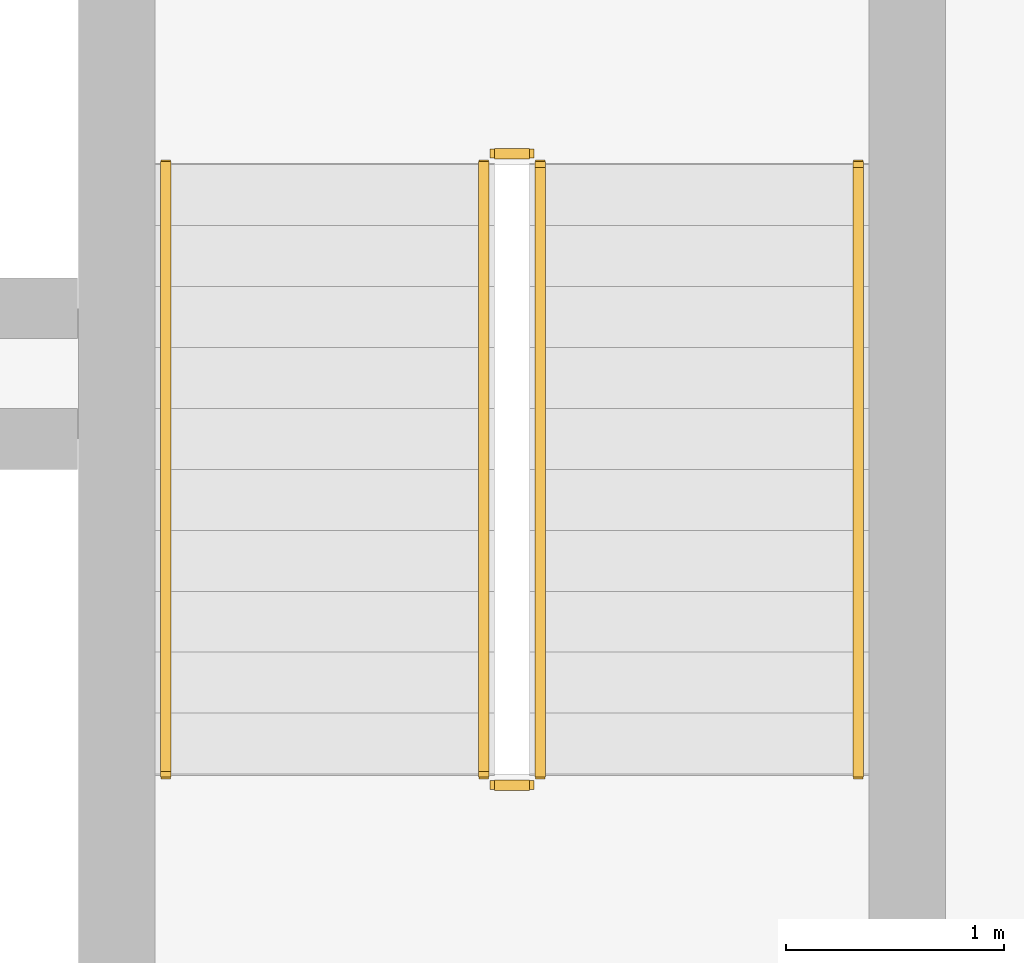
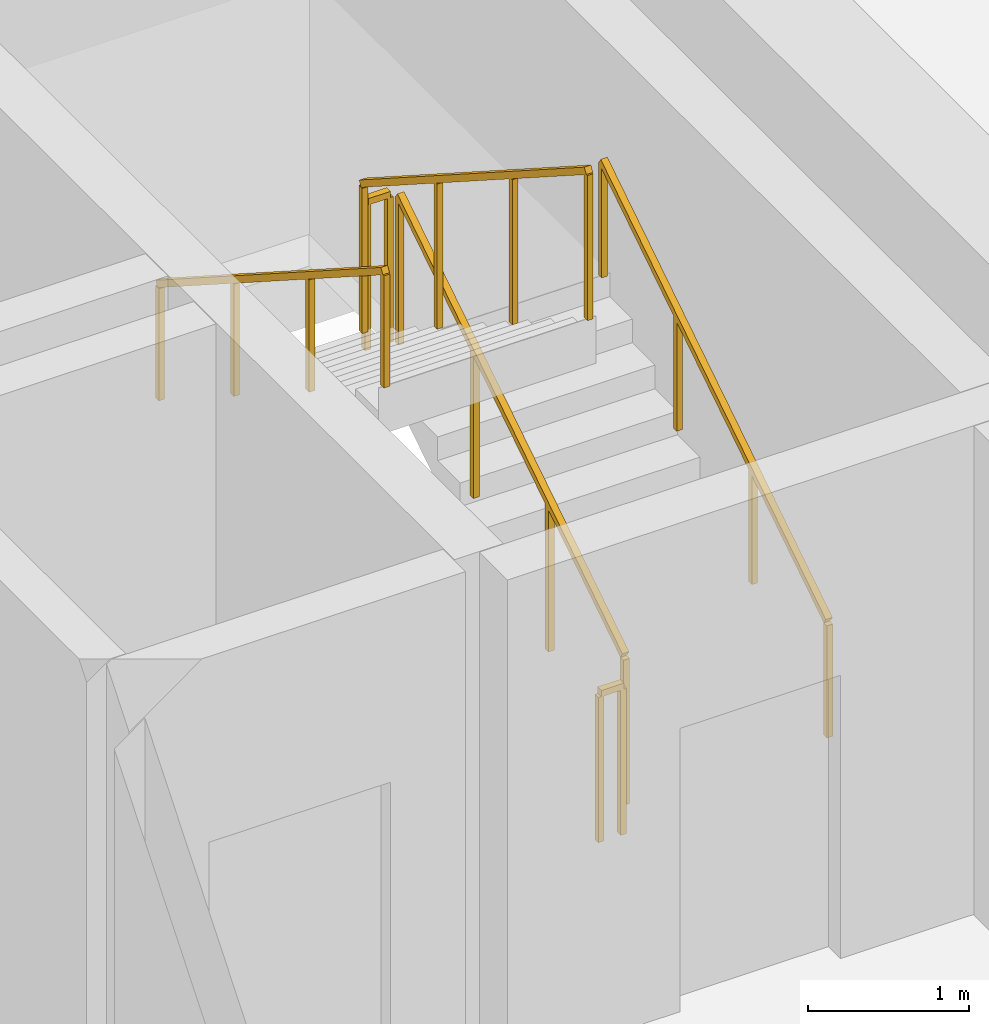
# One storey, part 11 of 11: 6 railings.
"""IFC4 building model written with IfcOpenShell, lengths in metres."""

from ifc_helpers import new_model, si_unit, direction, frame, origin, origin_2d, place, context, subcontext, project, spatial, rectangle, extrude, material, type_object, element, save


model = new_model("IFC4")

# Units and contexts
model_context = context("Model", 3, precision=1e-05, world=origin(), true_north=direction((0.0, 1.0)))
body_context = subcontext(model_context, "Body", "Model", "MODEL_VIEW")
ifc_project = project(units=[si_unit("LENGTHUNIT", "METRE"), si_unit("AREAUNIT", "SQUARE_METRE"), si_unit("VOLUMEUNIT", "CUBIC_METRE"), si_unit("PLANEANGLEUNIT", "RADIAN"), si_unit("MASSUNIT", "GRAM", prefix="KILO")], contexts=[model_context])

# Site, building, storey
site_placement = place(None, origin())
site = spatial("IfcSite", under=ifc_project, at=site_placement, CompositionType="ELEMENT")
building_placement = place(site_placement, origin())
building = spatial("IfcBuilding", under=site, at=building_placement, Name="Kaelvorn Grand Hotel", CompositionType="ELEMENT")
storey_placement = place(building_placement, frame((0.0, 0.0, 248.89990234375)))
storey = spatial("IfcBuildingStorey", under=building, at=storey_placement, Name="L61", CompositionType="ELEMENT", Elevation=248.89990234375)

# Railings
ifc_material = material(Name="Stainless Steel", Category="steel")
railing_type_1 = type_object("IfcRailingType", Name="RL-HANDRAIL-900", PredefinedType="HANDRAIL", material=ifc_material)
railing_1_placement = place(storey_placement, frame((66.550048828125, 41.760009765625, 0.1796875)))
element("IfcRailing", 1, at=railing_1_placement, inside=storey, type_object=railing_type_1, Name="L61 ST3 stair handrail 1", PredefinedType="HANDRAIL", context=body_context, shape_type="SweptSolid", body=[
    extrude(rectangle(XDim=0.048095703125, YDim=0.048095703125, at=origin_2d()), frame((0.0, 0.0, 0.8759765625), z_axis=(0.0, 0.841809871826, 0.539774156196), x_axis=(-1.0, 0.0, 0.0)), (0.0, 0.0, 1.0), 3.326171875),
    extrude(rectangle(XDim=0.0419921875, YDim=0.0419921875, at=origin_2d()), origin(), (0.0, 0.0, 1.0), 0.851806640625),
    extrude(rectangle(XDim=0.0419921875, YDim=0.0419921875, at=origin_2d()), frame((0.0, 0.933349609375, 0.598388671875)), (0.0, 0.0, 1.0), 0.851806640625),
    extrude(rectangle(XDim=0.0419921875, YDim=0.0419921875, at=origin_2d()), frame((0.0, 1.86669921875, 1.197021484375)), (0.0, 0.0, 1.0), 0.851806640625),
    extrude(rectangle(XDim=0.0419921875, YDim=0.0419921875, at=origin_2d()), frame((0.0, 2.800048828125, 1.79541015625)), (0.0, 0.0, 1.0), 0.851806640625),
])
railing_2_placement = place(storey_placement, frame((63.3701171875, 44.56005859375, 2.154541015625)))
element("IfcRailing", 2, at=railing_2_placement, inside=storey, type_object=railing_type_1, Name="L61 ST3 stair handrail 2", PredefinedType="HANDRAIL", context=body_context, shape_type="SweptSolid", body=[
    extrude(rectangle(XDim=0.048095703125, YDim=0.048095703125, at=origin_2d()), frame((0.0, 0.0, 0.8759765625), z_axis=(0.0, -0.841776520102, 0.539826166654), x_axis=(1.0, 0.0, 0.0)), (0.0, 0.0, 1.0), 3.326416015625),
    extrude(rectangle(XDim=0.0419921875, YDim=0.0419921875, at=origin_2d()), origin(), (0.0, 0.0, 1.0), 0.851806640625),
    extrude(rectangle(XDim=0.0419921875, YDim=0.0419921875, at=origin_2d()), frame((0.0, -0.933349609375, 0.5986328125)), (0.0, 0.0, 1.0), 0.851806640625),
    extrude(rectangle(XDim=0.0419921875, YDim=0.0419921875, at=origin_2d()), frame((0.0, -1.86669921875, 1.197021484375)), (0.0, 0.0, 1.0), 0.851806640625),
    extrude(rectangle(XDim=0.0419921875, YDim=0.0419921875, at=origin_2d()), frame((0.0, -2.800048828125, 1.795654296875)), (0.0, 0.0, 1.0), 0.851806640625),
])
railing_type_2 = type_object("IfcRailingType", Name="RL-STAIR-GUARD-1150", PredefinedType="BALUSTRADE", material=ifc_material)
railing_3_placement = place(storey_placement, frame((65.090087890625, 41.760009765625, 0.1796875)))
element("IfcRailing", 3, at=railing_3_placement, inside=storey, type_object=railing_type_2, Name="L61 ST3 stair guard 1", PredefinedType="BALUSTRADE", context=body_context, shape_type="SweptSolid", body=[
    extrude(rectangle(XDim=0.048095703125, YDim=0.048095703125, at=origin_2d()), frame((0.0, 0.0, 1.1259765625), z_axis=(0.0, 0.841809871826, 0.539774156196), x_axis=(-1.0, 0.0, 0.0)), (0.0, 0.0, 1.0), 3.326171875),
    extrude(rectangle(XDim=0.0419921875, YDim=0.0419921875, at=origin_2d()), origin(), (0.0, 0.0, 1.0), 1.101806640625),
    extrude(rectangle(XDim=0.0419921875, YDim=0.0419921875, at=origin_2d()), frame((0.0, 0.933349609375, 0.598388671875)), (0.0, 0.0, 1.0), 1.101806640625),
    extrude(rectangle(XDim=0.0419921875, YDim=0.0419921875, at=origin_2d()), frame((0.0, 1.86669921875, 1.197021484375)), (0.0, 0.0, 1.0), 1.101806640625),
    extrude(rectangle(XDim=0.0419921875, YDim=0.0419921875, at=origin_2d()), frame((0.0, 2.800048828125, 1.79541015625)), (0.0, 0.0, 1.0), 1.101806640625),
])
railing_4_placement = place(storey_placement, frame((65.0400390625, 44.610107421875, 1.97509765625)))
element("IfcRailing", 4, at=railing_4_placement, inside=storey, type_object=railing_type_2, Name="L61 ST3 stair guard 2", PredefinedType="BALUSTRADE", context=body_context, shape_type="SweptSolid", body=[
    extrude(rectangle(XDim=0.048095703125, YDim=0.048095703125, at=origin_2d()), frame((0.0, 0.0, 1.1259765625), z_axis=(-1.0, 0.0, 0.0), x_axis=(0.0, -1.0, 0.0)), (0.0, 0.0, 1.0), 0.16015625),
    extrude(rectangle(XDim=0.0419921875, YDim=0.0419921875, at=origin_2d()), origin(), (0.0, 0.0, 1.0), 1.101806640625),
    extrude(rectangle(XDim=0.0419921875, YDim=0.0419921875, at=origin_2d()), frame((-0.16015625, 0.0, 0.0)), (0.0, 0.0, 1.0), 1.101806640625),
])
railing_5_placement = place(storey_placement, frame((64.830078125, 44.56005859375, 2.154541015625)))
element("IfcRailing", 5, at=railing_5_placement, inside=storey, type_object=railing_type_2, Name="L61 ST3 stair guard 3", PredefinedType="BALUSTRADE", context=body_context, shape_type="SweptSolid", body=[
    extrude(rectangle(XDim=0.048095703125, YDim=0.048095703125, at=origin_2d()), frame((0.0, 0.0, 1.1259765625), z_axis=(0.0, -0.841776520102, 0.539826166654), x_axis=(1.0, 0.0, 0.0)), (0.0, 0.0, 1.0), 3.326416015625),
    extrude(rectangle(XDim=0.0419921875, YDim=0.0419921875, at=origin_2d()), origin(), (0.0, 0.0, 1.0), 1.101806640625),
    extrude(rectangle(XDim=0.0419921875, YDim=0.0419921875, at=origin_2d()), frame((0.0, -0.933349609375, 0.5986328125)), (0.0, 0.0, 1.0), 1.101806640625),
    extrude(rectangle(XDim=0.0419921875, YDim=0.0419921875, at=origin_2d()), frame((0.0, -1.86669921875, 1.197021484375)), (0.0, 0.0, 1.0), 1.101806640625),
    extrude(rectangle(XDim=0.0419921875, YDim=0.0419921875, at=origin_2d()), frame((0.0, -2.800048828125, 1.795654296875)), (0.0, 0.0, 1.0), 1.101806640625),
])
railing_6_placement = place(storey_placement, frame((65.0400390625, 41.7099609375, 0.0)))
element("IfcRailing", 6, at=railing_6_placement, inside=storey, type_object=railing_type_2, Name="L61 ST3 stair guard 4", PredefinedType="BALUSTRADE", context=body_context, shape_type="SweptSolid", body=[
    extrude(rectangle(XDim=0.048095703125, YDim=0.048095703125, at=origin_2d()), frame((0.0, 0.0, 1.1259765625), z_axis=(-1.0, 0.0, 0.0), x_axis=(0.0, -1.0, 0.0)), (0.0, 0.0, 1.0), 0.16015625),
    extrude(rectangle(XDim=0.0419921875, YDim=0.0419921875, at=origin_2d()), origin(), (0.0, 0.0, 1.0), 1.101806640625),
    extrude(rectangle(XDim=0.0419921875, YDim=0.0419921875, at=origin_2d()), frame((-0.16015625, 0.0, 0.0)), (0.0, 0.0, 1.0), 1.101806640625),
])

save(model, "model.ifc")
